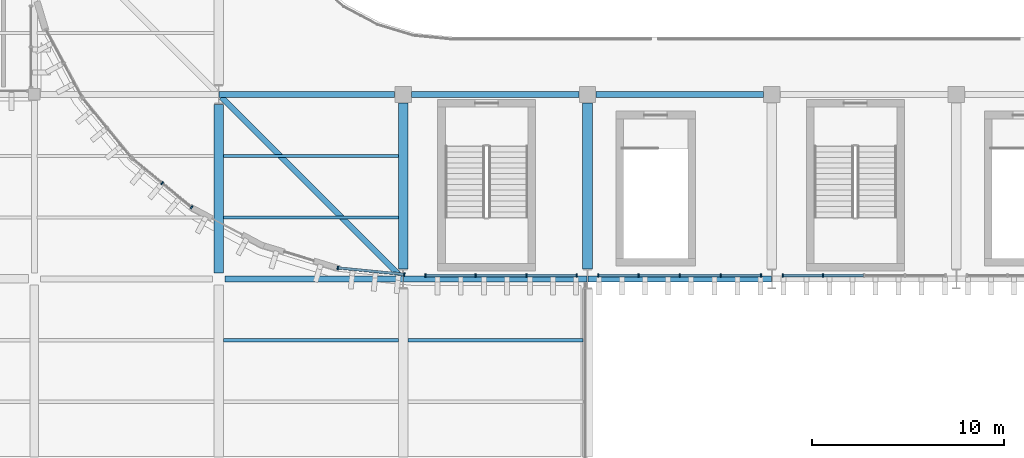
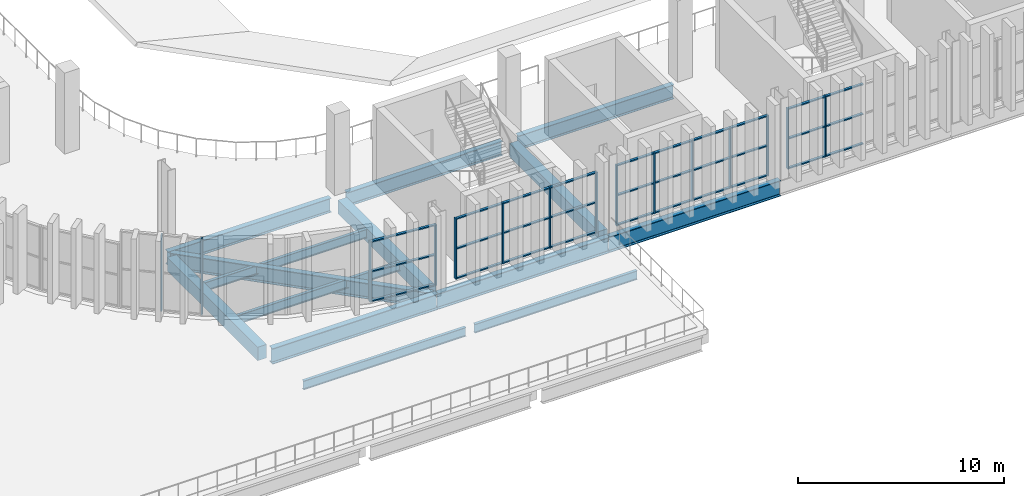
# One storey, part 21 of 99: 45 members, 14 beams, 5 elements without a shape of their own.
"""IFC4 building model written with IfcOpenShell, lengths in metres."""

from ifc_helpers import new_model, si_unit, direction, frame, origin, origin_2d, place, context, subcontext, project, spatial, rectangle, i_section, extrude, material, layer, layer_set, material_profile, profile_set, type_object, element, aggregate, save


model = new_model("IFC4")

# Units and contexts
model_context = context("Model", 3, precision=1e-05, world=origin(), true_north=direction((0.0, 1.0)))
body_context = subcontext(model_context, "Body", "Model", "MODEL_VIEW")
ifc_project = project(units=[si_unit("LENGTHUNIT", "METRE"), si_unit("AREAUNIT", "SQUARE_METRE"), si_unit("VOLUMEUNIT", "CUBIC_METRE"), si_unit("PLANEANGLEUNIT", "RADIAN"), si_unit("MASSUNIT", "GRAM", prefix="KILO")], contexts=[model_context])

# Site, building, storey
site_placement = place(None, origin())
site = spatial("IfcSite", under=ifc_project, at=site_placement, CompositionType="ELEMENT")
building_placement = place(site_placement, origin())
building = spatial("IfcBuilding", under=site, at=building_placement, Name="Caelomonte Colonnade Arena", CompositionType="ELEMENT")
storey_placement = place(building_placement, frame((0.0, 0.0, 4.800048828125)))
storey = spatial("IfcBuildingStorey", under=building, at=storey_placement, Name="L01", CompositionType="ELEMENT", Elevation=4.800048828125)

# Curtain wall, members
ifc_material_1 = material(Name="Bronze anodised aluminium and low-E glazing", Category="aluminium")
ifc_layer_1 = layer(ifc_material_1, 0.179931640625)
ifc_layer_set_1 = layer_set([ifc_layer_1], Name="Bronze anodised aluminium and low-E glazing")
curtain_wall_type_1 = type_object("IfcCurtainWallType", Name="ENV-CW-CW-L01-42-36", PredefinedType="USERDEFINED", material=ifc_layer_set_1)
curtain_wall_1_placement = place(storey_placement, origin())
curtain_wall_1 = element("IfcCurtainWall", 1, at=curtain_wall_1_placement, inside=storey, type_object=curtain_wall_type_1, Name="L01 unitized curtain wall CW-L01-0753-0196", ObjectType="UNITIZED CURTAIN WALL", PredefinedType="USERDEFINED")
ifc_material_2 = material(Name="Bronze anodised aluminium AA6063-T6", Category="aluminium")
ifc_material_profile_1 = material_profile(ifc_material_2, rectangle(XDim=0.070068359375, YDim=0.179931640625, at=origin_2d()), Name="CWM-70X180")
ifc_profile_set_1 = profile_set([ifc_material_profile_1], Name="Bronze anodised aluminium AA6063-T6")
member_type_1 = type_object("IfcMemberType", Name="ENV-CW-MULL1", PredefinedType="MULLION", material=ifc_profile_set_1)
member_1_placement = place(storey_placement, frame((73.3955078125, 19.775390625, 0.0), z_axis=(0.0, 0.0, 1.0), x_axis=(0.995184134744, -0.098023150088, 0.0)))
member_1 = element("IfcMember", 2, at=member_1_placement, type_object=member_type_1, Name="CW-L01-42-36 mullion 1", PredefinedType="MULLION", context=body_context, shape_type="SweptSolid", body=[
    extrude(rectangle(XDim=0.070068359375, YDim=0.179931640625, at=origin_2d()), origin(), (0.0, 0.0, 1.0), 3.593017578125),
])
member_2_placement = place(storey_placement, frame((76.85986328125, 19.43408203125, 0.0), z_axis=(0.0, 0.0, 1.0), x_axis=(0.995184134744, -0.098023150088, 0.0)))
member_2 = element("IfcMember", 3, at=member_2_placement, type_object=member_type_1, Name="CW-L01-42-36 mullion 2", PredefinedType="MULLION", context=body_context, shape_type="SweptSolid", body=[
    extrude(rectangle(XDim=0.070068359375, YDim=0.179931640625, at=origin_2d()), origin(), (0.0, 0.0, 1.0), 3.593017578125),
])

ifc_layer_2 = layer(ifc_material_1, 0.179931640625)
ifc_layer_set_2 = layer_set([ifc_layer_2], Name="Bronze anodised aluminium and low-E glazing")
curtain_wall_type_2 = type_object("IfcCurtainWallType", Name="ENV-CW-CW-L01-90-36", PredefinedType="USERDEFINED", material=ifc_layer_set_2)
curtain_wall_2_placement = place(storey_placement, origin())
curtain_wall_2 = element("IfcCurtainWall", 4, at=curtain_wall_2_placement, inside=storey, type_object=curtain_wall_type_2, Name="L01 unitized curtain wall CW-L01-0819-0194", ObjectType="UNITIZED CURTAIN WALL", PredefinedType="USERDEFINED")
member_3_placement = place(storey_placement, frame((77.96044921875, 19.3798828125, 0.0), z_axis=(0.0, 0.0, 1.0), x_axis=(1.0, 0.0, 0.0)))
member_3 = element("IfcMember", 5, at=member_3_placement, type_object=member_type_1, Name="CW-L01-90-36 mullion 1", PredefinedType="MULLION", context=body_context, shape_type="SweptSolid", body=[
    extrude(rectangle(XDim=0.070068359375, YDim=0.179931640625, at=origin_2d()), origin(), (0.0, 0.0, 1.0), 3.593017578125),
])
member_4_placement = place(storey_placement, frame((80.5751953125, 19.3798828125, 0.0), z_axis=(0.0, 0.0, 1.0), x_axis=(1.0, 0.0, 0.0)))
member_4 = element("IfcMember", 6, at=member_4_placement, type_object=member_type_1, Name="CW-L01-90-36 mullion 2", PredefinedType="MULLION", context=body_context, shape_type="SweptSolid", body=[
    extrude(rectangle(XDim=0.070068359375, YDim=0.179931640625, at=origin_2d()), origin(), (0.0, 0.0, 1.0), 3.593017578125),
])
member_5_placement = place(storey_placement, frame((83.224853515625, 19.3798828125, 0.0), z_axis=(0.0, 0.0, 1.0), x_axis=(1.0, 0.0, 0.0)))
member_5 = element("IfcMember", 7, at=member_5_placement, type_object=member_type_1, Name="CW-L01-90-36 mullion 3", PredefinedType="MULLION", context=body_context, shape_type="SweptSolid", body=[
    extrude(rectangle(XDim=0.070068359375, YDim=0.179931640625, at=origin_2d()), origin(), (0.0, 0.0, 1.0), 3.593017578125),
])
member_6_placement = place(storey_placement, frame((85.839599609375, 19.3798828125, 0.0), z_axis=(0.0, 0.0, 1.0), x_axis=(1.0, 0.0, 0.0)))
member_6 = element("IfcMember", 8, at=member_6_placement, type_object=member_type_1, Name="CW-L01-90-36 mullion 4", PredefinedType="MULLION", context=body_context, shape_type="SweptSolid", body=[
    extrude(rectangle(XDim=0.070068359375, YDim=0.179931640625, at=origin_2d()), origin(), (0.0, 0.0, 1.0), 3.593017578125),
])

ifc_layer_3 = layer(ifc_material_1, 0.179931640625)
ifc_layer_set_3 = layer_set([ifc_layer_3], Name="Bronze anodised aluminium and low-E glazing")
curtain_wall_type_3 = type_object("IfcCurtainWallType", Name="ENV-CW-CW-L01-96-36", PredefinedType="USERDEFINED", material=ifc_layer_set_3)
curtain_wall_3_placement = place(storey_placement, origin())
curtain_wall_3 = element("IfcCurtainWall", 9, at=curtain_wall_3_placement, inside=storey, type_object=curtain_wall_type_3, Name="L01 unitized curtain wall CW-L01-0912-0194", ObjectType="UNITIZED CURTAIN WALL", PredefinedType="USERDEFINED")
member_7_placement = place(storey_placement, frame((86.96044921875, 19.3798828125, 0.0), z_axis=(0.0, 0.0, 1.0), x_axis=(1.0, 0.0, 0.0)))
member_7 = element("IfcMember", 10, at=member_7_placement, type_object=member_type_1, Name="CW-L01-96-36 mullion 1", PredefinedType="MULLION", context=body_context, shape_type="SweptSolid", body=[
    extrude(rectangle(XDim=0.070068359375, YDim=0.179931640625, at=origin_2d()), origin(), (0.0, 0.0, 1.0), 3.593017578125),
])
member_8_placement = place(storey_placement, frame((89.062744140625, 19.3798828125, 0.0), z_axis=(0.0, 0.0, 1.0), x_axis=(1.0, 0.0, 0.0)))
member_8 = element("IfcMember", 11, at=member_8_placement, type_object=member_type_1, Name="CW-L01-96-36 mullion 2", PredefinedType="MULLION", context=body_context, shape_type="SweptSolid", body=[
    extrude(rectangle(XDim=0.070068359375, YDim=0.179931640625, at=origin_2d()), origin(), (0.0, 0.0, 1.0), 3.593017578125),
])
member_9_placement = place(storey_placement, frame((91.199951171875, 19.3798828125, 0.0), z_axis=(0.0, 0.0, 1.0), x_axis=(1.0, 0.0, 0.0)))
member_9 = element("IfcMember", 12, at=member_9_placement, type_object=member_type_1, Name="CW-L01-96-36 mullion 3", PredefinedType="MULLION", context=body_context, shape_type="SweptSolid", body=[
    extrude(rectangle(XDim=0.070068359375, YDim=0.179931640625, at=origin_2d()), origin(), (0.0, 0.0, 1.0), 3.593017578125),
])
member_10_placement = place(storey_placement, frame((93.337158203125, 19.3798828125, 0.0), z_axis=(0.0, 0.0, 1.0), x_axis=(1.0, 0.0, 0.0)))
member_10 = element("IfcMember", 13, at=member_10_placement, type_object=member_type_1, Name="CW-L01-96-36 mullion 4", PredefinedType="MULLION", context=body_context, shape_type="SweptSolid", body=[
    extrude(rectangle(XDim=0.070068359375, YDim=0.179931640625, at=origin_2d()), origin(), (0.0, 0.0, 1.0), 3.593017578125),
])
member_11_placement = place(storey_placement, frame((95.439453125, 19.3798828125, 0.0), z_axis=(0.0, 0.0, 1.0), x_axis=(1.0, 0.0, 0.0)))
member_11 = element("IfcMember", 14, at=member_11_placement, type_object=member_type_1, Name="CW-L01-96-36 mullion 5", PredefinedType="MULLION", context=body_context, shape_type="SweptSolid", body=[
    extrude(rectangle(XDim=0.070068359375, YDim=0.179931640625, at=origin_2d()), origin(), (0.0, 0.0, 1.0), 3.593017578125),
])

curtain_wall_4_placement = place(storey_placement, origin())
curtain_wall_4 = element("IfcCurtainWall", 15, at=curtain_wall_4_placement, inside=storey, type_object=curtain_wall_type_3, Name="L01 unitized curtain wall CW-L01-1008-0194", ObjectType="UNITIZED CURTAIN WALL", PredefinedType="USERDEFINED")
member_12_placement = place(storey_placement, frame((96.560546875, 19.3798828125, 0.0), z_axis=(0.0, 0.0, 1.0), x_axis=(1.0, 0.0, 0.0)))
member_12 = element("IfcMember", 16, at=member_12_placement, type_object=member_type_1, Name="CW-L01-96-36 mullion 1", PredefinedType="MULLION", context=body_context, shape_type="SweptSolid", body=[
    extrude(rectangle(XDim=0.070068359375, YDim=0.179931640625, at=origin_2d()), origin(), (0.0, 0.0, 1.0), 3.593017578125),
])
member_13_placement = place(storey_placement, frame((98.662841796875, 19.3798828125, 0.0), z_axis=(0.0, 0.0, 1.0), x_axis=(1.0, 0.0, 0.0)))
member_13 = element("IfcMember", 17, at=member_13_placement, type_object=member_type_1, Name="CW-L01-96-36 mullion 2", PredefinedType="MULLION", context=body_context, shape_type="SweptSolid", body=[
    extrude(rectangle(XDim=0.070068359375, YDim=0.179931640625, at=origin_2d()), origin(), (0.0, 0.0, 1.0), 3.593017578125),
])

ifc_layer_4 = layer(ifc_material_1, 0.179931640625)
ifc_layer_set_4 = layer_set([ifc_layer_4], Name="Bronze anodised aluminium and low-E glazing")
curtain_wall_type_4 = type_object("IfcCurtainWallType", Name="ENV-CW-CW-L01-44-45", PredefinedType="USERDEFINED", material=ifc_layer_set_4)
curtain_wall_5_placement = place(storey_placement, origin())
curtain_wall_5 = element("IfcCurtainWall", 18, at=curtain_wall_5_placement, inside=storey, type_object=curtain_wall_type_4, Name="L01 unitized curtain wall CW-L01-0643-0242", ObjectType="UNITIZED CURTAIN WALL", PredefinedType="USERDEFINED")
member_14_placement = place(storey_placement, frame((64.256103515625, 24.18408203125, 0.0), z_axis=(0.0, 0.0, 1.0), x_axis=(0.772991751994, -0.634416071163, 0.0)))
member_14 = element("IfcMember", 19, at=member_14_placement, type_object=member_type_1, Name="CW-L01-44-45 mullion 2", PredefinedType="MULLION", context=body_context, shape_type="SweptSolid", body=[
    extrude(rectangle(XDim=0.070068359375, YDim=0.179931640625, at=origin_2d()), origin(), (0.0, 0.0, 1.0), 4.52001953125),
])
member_15_placement = place(storey_placement, frame((65.789306640625, 22.92578125, 0.0), z_axis=(0.0, 0.0, 1.0), x_axis=(0.772991751994, -0.634416071163, 0.0)))
member_15 = element("IfcMember", 20, at=member_15_placement, type_object=member_type_1, Name="CW-L01-44-45 mullion 3", PredefinedType="MULLION", context=body_context, shape_type="SweptSolid", body=[
    extrude(rectangle(XDim=0.070068359375, YDim=0.179931640625, at=origin_2d()), origin(), (0.0, 0.0, 1.0), 4.52001953125),
])
aggregate(curtain_wall_5, [member_14, member_15])

# Member
ifc_material_profile_2 = material_profile(ifc_material_2, rectangle(XDim=0.070068359375, YDim=0.139892578125, at=origin_2d()), Name="CWT-70X140")
ifc_profile_set_2 = profile_set([ifc_material_profile_2], Name="Bronze anodised aluminium AA6063-T6")
member_type_2 = type_object("IfcMemberType", Name="ENV-CW-TRAN1", PredefinedType="USERDEFINED", material=ifc_profile_set_2)
member_16_placement = place(storey_placement, frame((73.43017578125, 19.771728515625, 0.034912109375), z_axis=(0.99518837698, -0.09798007106, 0.0), x_axis=(0.0, 0.0, 1.0)))
member_16 = element("IfcMember", 21, at=member_16_placement, type_object=member_type_2, Name="CW-L01-42-36 transom 1.1", ObjectType="TRANSOM", PredefinedType="USERDEFINED", context=body_context, shape_type="SweptSolid", body=[
    extrude(rectangle(XDim=0.070068359375, YDim=0.139892578125, at=origin_2d()), origin(), (0.0, 0.0, 1.0), 3.4111328125),
])

member_17_placement = place(storey_placement, frame((73.43017578125, 19.771728515625, 1.79638671875), z_axis=(0.99518837698, -0.09798007106, 0.0), x_axis=(0.0, 0.0, 1.0)))
member_17 = element("IfcMember", 22, at=member_17_placement, type_object=member_type_2, Name="CW-L01-42-36 transom 1.2", ObjectType="TRANSOM", PredefinedType="USERDEFINED", context=body_context, shape_type="SweptSolid", body=[
    extrude(rectangle(XDim=0.070068359375, YDim=0.139892578125, at=origin_2d()), origin(), (0.0, 0.0, 1.0), 3.4111328125),
])

member_18_placement = place(storey_placement, frame((73.43017578125, 19.771728515625, 3.557861328125), z_axis=(0.99518837698, -0.09798007106, 0.0), x_axis=(0.0, 0.0, 1.0)))
member_18 = element("IfcMember", 23, at=member_18_placement, type_object=member_type_2, Name="CW-L01-42-36 transom 1.3", ObjectType="TRANSOM", PredefinedType="USERDEFINED", context=body_context, shape_type="SweptSolid", body=[
    extrude(rectangle(XDim=0.070068359375, YDim=0.139892578125, at=origin_2d()), origin(), (0.0, 0.0, 1.0), 3.4111328125),
])

aggregate(curtain_wall_1, [member_1, member_2, member_16, member_17, member_18])

member_19_placement = place(storey_placement, frame((77.99560546875, 19.3798828125, 0.034912109375), z_axis=(1.0, 0.0, 0.0), x_axis=(0.0, 0.0, 1.0)))
member_19 = element("IfcMember", 24, at=member_19_placement, type_object=member_type_2, Name="CW-L01-90-36 transom 1.1", ObjectType="TRANSOM", PredefinedType="USERDEFINED", context=body_context, shape_type="SweptSolid", body=[
    extrude(rectangle(XDim=0.070068359375, YDim=0.139892578125, at=origin_2d()), origin(), (0.0, 0.0, 1.0), 2.544677734375),
])

member_20_placement = place(storey_placement, frame((77.99560546875, 19.3798828125, 1.79638671875), z_axis=(1.0, 0.0, 0.0), x_axis=(0.0, 0.0, 1.0)))
member_20 = element("IfcMember", 25, at=member_20_placement, type_object=member_type_2, Name="CW-L01-90-36 transom 1.2", ObjectType="TRANSOM", PredefinedType="USERDEFINED", context=body_context, shape_type="SweptSolid", body=[
    extrude(rectangle(XDim=0.070068359375, YDim=0.139892578125, at=origin_2d()), origin(), (0.0, 0.0, 1.0), 2.544677734375),
])

member_21_placement = place(storey_placement, frame((77.99560546875, 19.3798828125, 3.557861328125), z_axis=(1.0, 0.0, 0.0), x_axis=(0.0, 0.0, 1.0)))
member_21 = element("IfcMember", 26, at=member_21_placement, type_object=member_type_2, Name="CW-L01-90-36 transom 1.3", ObjectType="TRANSOM", PredefinedType="USERDEFINED", context=body_context, shape_type="SweptSolid", body=[
    extrude(rectangle(XDim=0.070068359375, YDim=0.139892578125, at=origin_2d()), origin(), (0.0, 0.0, 1.0), 2.544677734375),
])

member_22_placement = place(storey_placement, frame((80.610107421875, 19.3798828125, 0.034912109375), z_axis=(1.0, 0.0, 0.0), x_axis=(0.0, 0.0, 1.0)))
member_22 = element("IfcMember", 27, at=member_22_placement, type_object=member_type_2, Name="CW-L01-90-36 transom 2.1", ObjectType="TRANSOM", PredefinedType="USERDEFINED", context=body_context, shape_type="SweptSolid", body=[
    extrude(rectangle(XDim=0.070068359375, YDim=0.139892578125, at=origin_2d()), origin(), (0.0, 0.0, 1.0), 2.579833984375),
])

member_23_placement = place(storey_placement, frame((80.610107421875, 19.3798828125, 1.79638671875), z_axis=(1.0, 0.0, 0.0), x_axis=(0.0, 0.0, 1.0)))
member_23 = element("IfcMember", 28, at=member_23_placement, type_object=member_type_2, Name="CW-L01-90-36 transom 2.2", ObjectType="TRANSOM", PredefinedType="USERDEFINED", context=body_context, shape_type="SweptSolid", body=[
    extrude(rectangle(XDim=0.070068359375, YDim=0.139892578125, at=origin_2d()), origin(), (0.0, 0.0, 1.0), 2.579833984375),
])

member_24_placement = place(storey_placement, frame((80.610107421875, 19.3798828125, 3.557861328125), z_axis=(1.0, 0.0, 0.0), x_axis=(0.0, 0.0, 1.0)))
member_24 = element("IfcMember", 29, at=member_24_placement, type_object=member_type_2, Name="CW-L01-90-36 transom 2.3", ObjectType="TRANSOM", PredefinedType="USERDEFINED", context=body_context, shape_type="SweptSolid", body=[
    extrude(rectangle(XDim=0.070068359375, YDim=0.139892578125, at=origin_2d()), origin(), (0.0, 0.0, 1.0), 2.579833984375),
])

member_25_placement = place(storey_placement, frame((83.259765625, 19.3798828125, 0.034912109375), z_axis=(1.0, 0.0, 0.0), x_axis=(0.0, 0.0, 1.0)))
member_25 = element("IfcMember", 30, at=member_25_placement, type_object=member_type_2, Name="CW-L01-90-36 transom 3.1", ObjectType="TRANSOM", PredefinedType="USERDEFINED", context=body_context, shape_type="SweptSolid", body=[
    extrude(rectangle(XDim=0.070068359375, YDim=0.139892578125, at=origin_2d()), origin(), (0.0, 0.0, 1.0), 2.544677734375),
])

member_26_placement = place(storey_placement, frame((83.259765625, 19.3798828125, 1.79638671875), z_axis=(1.0, 0.0, 0.0), x_axis=(0.0, 0.0, 1.0)))
member_26 = element("IfcMember", 31, at=member_26_placement, type_object=member_type_2, Name="CW-L01-90-36 transom 3.2", ObjectType="TRANSOM", PredefinedType="USERDEFINED", context=body_context, shape_type="SweptSolid", body=[
    extrude(rectangle(XDim=0.070068359375, YDim=0.139892578125, at=origin_2d()), origin(), (0.0, 0.0, 1.0), 2.544677734375),
])

member_27_placement = place(storey_placement, frame((83.259765625, 19.3798828125, 3.557861328125), z_axis=(1.0, 0.0, 0.0), x_axis=(0.0, 0.0, 1.0)))
member_27 = element("IfcMember", 32, at=member_27_placement, type_object=member_type_2, Name="CW-L01-90-36 transom 3.3", ObjectType="TRANSOM", PredefinedType="USERDEFINED", context=body_context, shape_type="SweptSolid", body=[
    extrude(rectangle(XDim=0.070068359375, YDim=0.139892578125, at=origin_2d()), origin(), (0.0, 0.0, 1.0), 2.544677734375),
])

aggregate(curtain_wall_2, [member_3, member_4, member_5, member_6, member_19, member_20, member_21, member_22, member_23, member_24, member_25, member_26, member_27])

member_28_placement = place(storey_placement, frame((86.99560546875, 19.3798828125, 0.034912109375), z_axis=(1.0, 0.0, 0.0), x_axis=(0.0, 0.0, 1.0)))
member_28 = element("IfcMember", 33, at=member_28_placement, type_object=member_type_2, Name="CW-L01-96-36 transom 1.1", ObjectType="TRANSOM", PredefinedType="USERDEFINED", context=body_context, shape_type="SweptSolid", body=[
    extrude(rectangle(XDim=0.070068359375, YDim=0.139892578125, at=origin_2d()), origin(), (0.0, 0.0, 1.0), 2.0322265625),
])

member_29_placement = place(storey_placement, frame((86.99560546875, 19.3798828125, 1.79638671875), z_axis=(1.0, 0.0, 0.0), x_axis=(0.0, 0.0, 1.0)))
member_29 = element("IfcMember", 34, at=member_29_placement, type_object=member_type_2, Name="CW-L01-96-36 transom 1.2", ObjectType="TRANSOM", PredefinedType="USERDEFINED", context=body_context, shape_type="SweptSolid", body=[
    extrude(rectangle(XDim=0.070068359375, YDim=0.139892578125, at=origin_2d()), origin(), (0.0, 0.0, 1.0), 2.0322265625),
])

member_30_placement = place(storey_placement, frame((86.99560546875, 19.3798828125, 3.557861328125), z_axis=(1.0, 0.0, 0.0), x_axis=(0.0, 0.0, 1.0)))
member_30 = element("IfcMember", 35, at=member_30_placement, type_object=member_type_2, Name="CW-L01-96-36 transom 1.3", ObjectType="TRANSOM", PredefinedType="USERDEFINED", context=body_context, shape_type="SweptSolid", body=[
    extrude(rectangle(XDim=0.070068359375, YDim=0.139892578125, at=origin_2d()), origin(), (0.0, 0.0, 1.0), 2.0322265625),
])

member_31_placement = place(storey_placement, frame((89.09765625, 19.3798828125, 0.034912109375), z_axis=(1.0, 0.0, 0.0), x_axis=(0.0, 0.0, 1.0)))
member_31 = element("IfcMember", 36, at=member_31_placement, type_object=member_type_2, Name="CW-L01-96-36 transom 2.1", ObjectType="TRANSOM", PredefinedType="USERDEFINED", context=body_context, shape_type="SweptSolid", body=[
    extrude(rectangle(XDim=0.070068359375, YDim=0.139892578125, at=origin_2d()), origin(), (0.0, 0.0, 1.0), 2.0673828125),
])

member_32_placement = place(storey_placement, frame((89.09765625, 19.3798828125, 1.79638671875), z_axis=(1.0, 0.0, 0.0), x_axis=(0.0, 0.0, 1.0)))
member_32 = element("IfcMember", 37, at=member_32_placement, type_object=member_type_2, Name="CW-L01-96-36 transom 2.2", ObjectType="TRANSOM", PredefinedType="USERDEFINED", context=body_context, shape_type="SweptSolid", body=[
    extrude(rectangle(XDim=0.070068359375, YDim=0.139892578125, at=origin_2d()), origin(), (0.0, 0.0, 1.0), 2.0673828125),
])

member_33_placement = place(storey_placement, frame((89.09765625, 19.3798828125, 3.557861328125), z_axis=(1.0, 0.0, 0.0), x_axis=(0.0, 0.0, 1.0)))
member_33 = element("IfcMember", 38, at=member_33_placement, type_object=member_type_2, Name="CW-L01-96-36 transom 2.3", ObjectType="TRANSOM", PredefinedType="USERDEFINED", context=body_context, shape_type="SweptSolid", body=[
    extrude(rectangle(XDim=0.070068359375, YDim=0.139892578125, at=origin_2d()), origin(), (0.0, 0.0, 1.0), 2.0673828125),
])

member_34_placement = place(storey_placement, frame((91.235107421875, 19.3798828125, 0.034912109375), z_axis=(1.0, 0.0, 0.0), x_axis=(0.0, 0.0, 1.0)))
member_34 = element("IfcMember", 39, at=member_34_placement, type_object=member_type_2, Name="CW-L01-96-36 transom 3.1", ObjectType="TRANSOM", PredefinedType="USERDEFINED", context=body_context, shape_type="SweptSolid", body=[
    extrude(rectangle(XDim=0.070068359375, YDim=0.139892578125, at=origin_2d()), origin(), (0.0, 0.0, 1.0), 2.067138671875),
])

member_35_placement = place(storey_placement, frame((91.235107421875, 19.3798828125, 1.79638671875), z_axis=(1.0, 0.0, 0.0), x_axis=(0.0, 0.0, 1.0)))
member_35 = element("IfcMember", 40, at=member_35_placement, type_object=member_type_2, Name="CW-L01-96-36 transom 3.2", ObjectType="TRANSOM", PredefinedType="USERDEFINED", context=body_context, shape_type="SweptSolid", body=[
    extrude(rectangle(XDim=0.070068359375, YDim=0.139892578125, at=origin_2d()), origin(), (0.0, 0.0, 1.0), 2.067138671875),
])

member_36_placement = place(storey_placement, frame((91.235107421875, 19.3798828125, 3.557861328125), z_axis=(1.0, 0.0, 0.0), x_axis=(0.0, 0.0, 1.0)))
member_36 = element("IfcMember", 41, at=member_36_placement, type_object=member_type_2, Name="CW-L01-96-36 transom 3.3", ObjectType="TRANSOM", PredefinedType="USERDEFINED", context=body_context, shape_type="SweptSolid", body=[
    extrude(rectangle(XDim=0.070068359375, YDim=0.139892578125, at=origin_2d()), origin(), (0.0, 0.0, 1.0), 2.067138671875),
])

member_37_placement = place(storey_placement, frame((93.372314453125, 19.3798828125, 0.034912109375), z_axis=(1.0, 0.0, 0.0), x_axis=(0.0, 0.0, 1.0)))
member_37 = element("IfcMember", 42, at=member_37_placement, type_object=member_type_2, Name="CW-L01-96-36 transom 4.1", ObjectType="TRANSOM", PredefinedType="USERDEFINED", context=body_context, shape_type="SweptSolid", body=[
    extrude(rectangle(XDim=0.070068359375, YDim=0.139892578125, at=origin_2d()), origin(), (0.0, 0.0, 1.0), 2.0322265625),
])

member_38_placement = place(storey_placement, frame((93.372314453125, 19.3798828125, 1.79638671875), z_axis=(1.0, 0.0, 0.0), x_axis=(0.0, 0.0, 1.0)))
member_38 = element("IfcMember", 43, at=member_38_placement, type_object=member_type_2, Name="CW-L01-96-36 transom 4.2", ObjectType="TRANSOM", PredefinedType="USERDEFINED", context=body_context, shape_type="SweptSolid", body=[
    extrude(rectangle(XDim=0.070068359375, YDim=0.139892578125, at=origin_2d()), origin(), (0.0, 0.0, 1.0), 2.0322265625),
])

member_39_placement = place(storey_placement, frame((93.372314453125, 19.3798828125, 3.557861328125), z_axis=(1.0, 0.0, 0.0), x_axis=(0.0, 0.0, 1.0)))
member_39 = element("IfcMember", 44, at=member_39_placement, type_object=member_type_2, Name="CW-L01-96-36 transom 4.3", ObjectType="TRANSOM", PredefinedType="USERDEFINED", context=body_context, shape_type="SweptSolid", body=[
    extrude(rectangle(XDim=0.070068359375, YDim=0.139892578125, at=origin_2d()), origin(), (0.0, 0.0, 1.0), 2.0322265625),
])

aggregate(curtain_wall_3, [member_7, member_8, member_9, member_10, member_11, member_28, member_29, member_30, member_31, member_32, member_33, member_34, member_35, member_36, member_37, member_38, member_39])

member_40_placement = place(storey_placement, frame((96.595458984375, 19.3798828125, 0.034912109375), z_axis=(1.0, 0.0, 0.0), x_axis=(0.0, 0.0, 1.0)))
member_40 = element("IfcMember", 45, at=member_40_placement, type_object=member_type_2, Name="CW-L01-96-36 transom 1.1", ObjectType="TRANSOM", PredefinedType="USERDEFINED", context=body_context, shape_type="SweptSolid", body=[
    extrude(rectangle(XDim=0.070068359375, YDim=0.139892578125, at=origin_2d()), origin(), (0.0, 0.0, 1.0), 2.0322265625),
])

member_41_placement = place(storey_placement, frame((96.595458984375, 19.3798828125, 1.79638671875), z_axis=(1.0, 0.0, 0.0), x_axis=(0.0, 0.0, 1.0)))
member_41 = element("IfcMember", 46, at=member_41_placement, type_object=member_type_2, Name="CW-L01-96-36 transom 1.2", ObjectType="TRANSOM", PredefinedType="USERDEFINED", context=body_context, shape_type="SweptSolid", body=[
    extrude(rectangle(XDim=0.070068359375, YDim=0.139892578125, at=origin_2d()), origin(), (0.0, 0.0, 1.0), 2.0322265625),
])

member_42_placement = place(storey_placement, frame((96.595458984375, 19.3798828125, 3.557861328125), z_axis=(1.0, 0.0, 0.0), x_axis=(0.0, 0.0, 1.0)))
member_42 = element("IfcMember", 47, at=member_42_placement, type_object=member_type_2, Name="CW-L01-96-36 transom 1.3", ObjectType="TRANSOM", PredefinedType="USERDEFINED", context=body_context, shape_type="SweptSolid", body=[
    extrude(rectangle(XDim=0.070068359375, YDim=0.139892578125, at=origin_2d()), origin(), (0.0, 0.0, 1.0), 2.0322265625),
])

member_43_placement = place(storey_placement, frame((98.69775390625, 19.3798828125, 0.034912109375), z_axis=(1.0, 0.0, 0.0), x_axis=(0.0, 0.0, 1.0)))
member_43 = element("IfcMember", 48, at=member_43_placement, type_object=member_type_2, Name="CW-L01-96-36 transom 2.1", ObjectType="TRANSOM", PredefinedType="USERDEFINED", context=body_context, shape_type="SweptSolid", body=[
    extrude(rectangle(XDim=0.070068359375, YDim=0.139892578125, at=origin_2d()), origin(), (0.0, 0.0, 1.0), 2.067138671875),
])

member_44_placement = place(storey_placement, frame((98.69775390625, 19.3798828125, 1.79638671875), z_axis=(1.0, 0.0, 0.0), x_axis=(0.0, 0.0, 1.0)))
member_44 = element("IfcMember", 49, at=member_44_placement, type_object=member_type_2, Name="CW-L01-96-36 transom 2.2", ObjectType="TRANSOM", PredefinedType="USERDEFINED", context=body_context, shape_type="SweptSolid", body=[
    extrude(rectangle(XDim=0.070068359375, YDim=0.139892578125, at=origin_2d()), origin(), (0.0, 0.0, 1.0), 2.067138671875),
])

member_45_placement = place(storey_placement, frame((98.69775390625, 19.3798828125, 3.557861328125), z_axis=(1.0, 0.0, 0.0), x_axis=(0.0, 0.0, 1.0)))
member_45 = element("IfcMember", 50, at=member_45_placement, type_object=member_type_2, Name="CW-L01-96-36 transom 2.3", ObjectType="TRANSOM", PredefinedType="USERDEFINED", context=body_context, shape_type="SweptSolid", body=[
    extrude(rectangle(XDim=0.070068359375, YDim=0.139892578125, at=origin_2d()), origin(), (0.0, 0.0, 1.0), 2.067138671875),
])

aggregate(curtain_wall_4, [member_12, member_13, member_40, member_41, member_42, member_43, member_44, member_45])

# Beams
ifc_material_3 = material(Name="Wide-flange steel ASTM A992 Grade 50", Category="steel")
ifc_material_profile_3 = material_profile(ifc_material_3, i_section(OverallWidth=0.307861328125, OverallDepth=0.927001953125, WebThickness=0.019287109375, FlangeThickness=0.031982421875, FilletRadius=0.020263671875, at=origin_2d()), Name="W36X194")
ifc_profile_set_3 = profile_set([ifc_material_profile_3], Name="Wide-flange steel ASTM A992 Grade 50")
beam_type_1 = type_object("IfcBeamType", Name="STR-BM-EAVES2", PredefinedType="SPANDREL", material=ifc_profile_set_3)
beam_1_placement = place(storey_placement, frame((67.51708984375, 19.199951171875, -0.763427734375), z_axis=(1.0, 0.0, 0.0), x_axis=(0.0, 1.0, 0.0)))
element("IfcBeam", 51, at=beam_1_placement, inside=storey, type_object=beam_type_1, Name="L01 girder BMX-L01-0672-0192", PredefinedType="SPANDREL", context=body_context, shape_type="SweptSolid", body=[
    extrude(i_section(OverallWidth=0.307861328125, OverallDepth=0.927001953125, WebThickness=0.019287109375, FlangeThickness=0.031982421875, FilletRadius=0.020263671875, at=origin_2d()), origin(), (0.0, 0.0, 1.0), 9.267333984375),
])
for number, where, z_axis, x_axis, name in (
    (52, (76.8154296875, 19.199951171875, -0.763427734375), (1.0, 0.0, 0.0), (0.0, 1.0, 0.0), "L01 girder BMX-L01-0768-0192"),
    (53, (86.41552734375, 19.199951171875, -0.763427734375), (1.0, 0.0, 0.0), (0.0, 1.0, 0.0), "L01 girder BMX-L01-0864-0192"),
):
    element("IfcBeam", number, at=place(storey_placement, frame(where, z_axis=z_axis, x_axis=x_axis)), inside=storey, type_object=beam_type_1, Name=name, PredefinedType="SPANDREL", context=body_context, shape_type="SweptSolid", body=[
        extrude(i_section(OverallWidth=0.307861328125, OverallDepth=0.927001953125, WebThickness=0.019287109375, FlangeThickness=0.031982421875, FilletRadius=0.020263671875, at=origin_2d()), origin(), (0.0, 0.0, 1.0), 9.569091796875),
    ])
beam_2_placement = place(storey_placement, frame((67.34521484375, 28.65478515625, -0.763427734375), z_axis=(0.707106781187, -0.707106781187, 0.0), x_axis=(0.707106781187, 0.707106781187, 0.0)))
element("IfcBeam", 54, at=beam_2_placement, inside=storey, type_object=beam_type_1, Name="L01 drum corner ring girder 2", PredefinedType="SPANDREL", context=body_context, shape_type="SweptSolid", body=[
    extrude(i_section(OverallWidth=0.307861328125, OverallDepth=0.927001953125, WebThickness=0.019287109375, FlangeThickness=0.031982421875, FilletRadius=0.020263671875, at=origin_2d()), origin(), (0.0, 0.0, 1.0), 13.165771484375),
])
ifc_material_profile_4 = material_profile(ifc_material_3, i_section(OverallWidth=0.2919921875, OverallDepth=0.835693359375, WebThickness=0.013916015625, FlangeThickness=0.018798828125, FilletRadius=0.017822265625, at=origin_2d()), Name="W33X118")
ifc_profile_set_4 = profile_set([ifc_material_profile_4], Name="Wide-flange steel ASTM A992 Grade 50")
beam_type_2 = type_object("IfcBeamType", Name="STR-BM-GIRD33B", PredefinedType="BEAM", material=ifc_profile_set_4)
beam_3_placement = place(storey_placement, frame((67.215576171875, 28.800048828125, -0.7177734375), z_axis=(1.0, 0.0, 0.0), x_axis=(0.0, 1.0, 0.0)))
element("IfcBeam", 55, at=beam_3_placement, inside=storey, type_object=beam_type_2, Name="L01 girder BMX-L01-0672-0288", PredefinedType="BEAM", context=body_context, shape_type="SweptSolid", body=[
    extrude(i_section(OverallWidth=0.2919921875, OverallDepth=0.835693359375, WebThickness=0.013916015625, FlangeThickness=0.018798828125, FilletRadius=0.017822265625, at=origin_2d()), origin(), (0.0, 0.0, 1.0), 9.142333984375),
])
for number, where, z_axis, x_axis, name in (
    (56, (77.241943359375, 28.800048828125, -0.7177734375), (1.0, 0.0, 0.0), (0.0, 1.0, 0.0), "L01 girder BMX-L01-0768-0288"),
    (57, (86.842041015625, 28.800048828125, -0.7177734375), (1.0, 0.0, 0.0), (0.0, 1.0, 0.0), "L01 girder BMX-L01-0864-0288"),
):
    element("IfcBeam", number, at=place(storey_placement, frame(where, z_axis=z_axis, x_axis=x_axis)), inside=storey, type_object=beam_type_2, Name=name, PredefinedType="BEAM", context=body_context, shape_type="SweptSolid", body=[
        extrude(i_section(OverallWidth=0.2919921875, OverallDepth=0.835693359375, WebThickness=0.013916015625, FlangeThickness=0.018798828125, FilletRadius=0.017822265625, at=origin_2d()), origin(), (0.0, 0.0, 1.0), 8.716064453125),
    ])
ifc_material_profile_5 = material_profile(ifc_material_3, i_section(OverallWidth=0.166015625, OverallDepth=0.5283203125, WebThickness=0.009765625, FlangeThickness=0.013671875, FilletRadius=0.0126953125, at=origin_2d()), Name="W21X50")
ifc_profile_set_5 = profile_set([ifc_material_profile_5], Name="Wide-flange steel ASTM A992 Grade 50")
beam_type_3 = type_object("IfcBeamType", Name="STR-BM-JOIST21B", PredefinedType="JOIST", material=ifc_profile_set_5)
for number, where, z_axis, x_axis, name in (
    (58, (67.445068359375, 16.0, -0.564208984375), (1.0, 0.0, 0.0), (0.0, 1.0, 0.0), "L01 secondary joist 2"),
    (59, (67.445068359375, 22.39990234375, -0.564208984375), (1.0, 0.0, 0.0), (0.0, 1.0, 0.0), "L01 secondary joist 1"),
    (60, (67.445068359375, 25.60009765625, -0.564208984375), (1.0, 0.0, 0.0), (0.0, 1.0, 0.0), "L01 secondary joist 2"),
):
    element("IfcBeam", number, at=place(storey_placement, frame(where, z_axis=z_axis, x_axis=x_axis)), inside=storey, type_object=beam_type_3, Name=name, PredefinedType="JOIST", context=body_context, shape_type="SweptSolid", body=[
        extrude(i_section(OverallWidth=0.166015625, OverallDepth=0.5283203125, WebThickness=0.009765625, FlangeThickness=0.013671875, FilletRadius=0.0126953125, at=origin_2d()), origin(), (0.0, 0.0, 1.0), 9.10986328125),
    ])
beam_4_placement = place(storey_placement, frame((77.044921875, 16.0, -0.564208984375), z_axis=(1.0, 0.0, 0.0), x_axis=(0.0, 1.0, 0.0)))
element("IfcBeam", 61, at=beam_4_placement, inside=storey, type_object=beam_type_3, Name="L01 secondary joist 2", PredefinedType="JOIST", context=body_context, shape_type="SweptSolid", body=[
    extrude(i_section(OverallWidth=0.166015625, OverallDepth=0.5283203125, WebThickness=0.009765625, FlangeThickness=0.013671875, FilletRadius=0.0126953125, at=origin_2d()), origin(), (0.0, 0.0, 1.0), 9.110107421875),
])
ifc_material_4 = material(Name="Concrete C40/50", Category="concrete")
ifc_material_profile_6 = material_profile(ifc_material_4, rectangle(XDim=0.5, YDim=0.800048828125, at=origin_2d()), Name="RC500X800")
ifc_profile_set_6 = profile_set([ifc_material_profile_6], Name="Concrete C40/50")
beam_type_4 = type_object("IfcBeamType", Name="STR-BM-RC50", PredefinedType="BEAM", material=ifc_profile_set_6)
beam_5_placement = place(storey_placement, frame((67.199951171875, 19.51708984375, -0.699951171875), z_axis=(0.0, 1.0, 0.0), x_axis=(-1.0, 0.0, 0.0)))
element("IfcBeam", 62, at=beam_5_placement, inside=storey, type_object=beam_type_4, Name="L01 girder BMY-L01-0672-0192", PredefinedType="BEAM", context=body_context, shape_type="SweptSolid", body=[
    extrude(rectangle(XDim=0.5, YDim=0.800048828125, at=origin_2d()), origin(), (0.0, 0.0, 1.0), 8.770263671875),
])
for number, where, z_axis, x_axis, name in (
    (63, (76.800048828125, 19.712646484375, -0.699951171875), (0.0, 1.0, 0.0), (-1.0, 0.0, 0.0), "L01 girder BMY-L01-0768-0192"),
    (64, (86.39990234375, 19.712646484375, -0.699951171875), (0.0, 1.0, 0.0), (-1.0, 0.0, 0.0), "L01 girder BMY-L01-0864-0192"),
):
    element("IfcBeam", number, at=place(storey_placement, frame(where, z_axis=z_axis, x_axis=x_axis)), inside=storey, type_object=beam_type_4, Name=name, PredefinedType="BEAM", context=body_context, shape_type="SweptSolid", body=[
        extrude(rectangle(XDim=0.5, YDim=0.800048828125, at=origin_2d()), origin(), (0.0, 0.0, 1.0), 8.645263671875),
    ])

save(model, "model.ifc")
